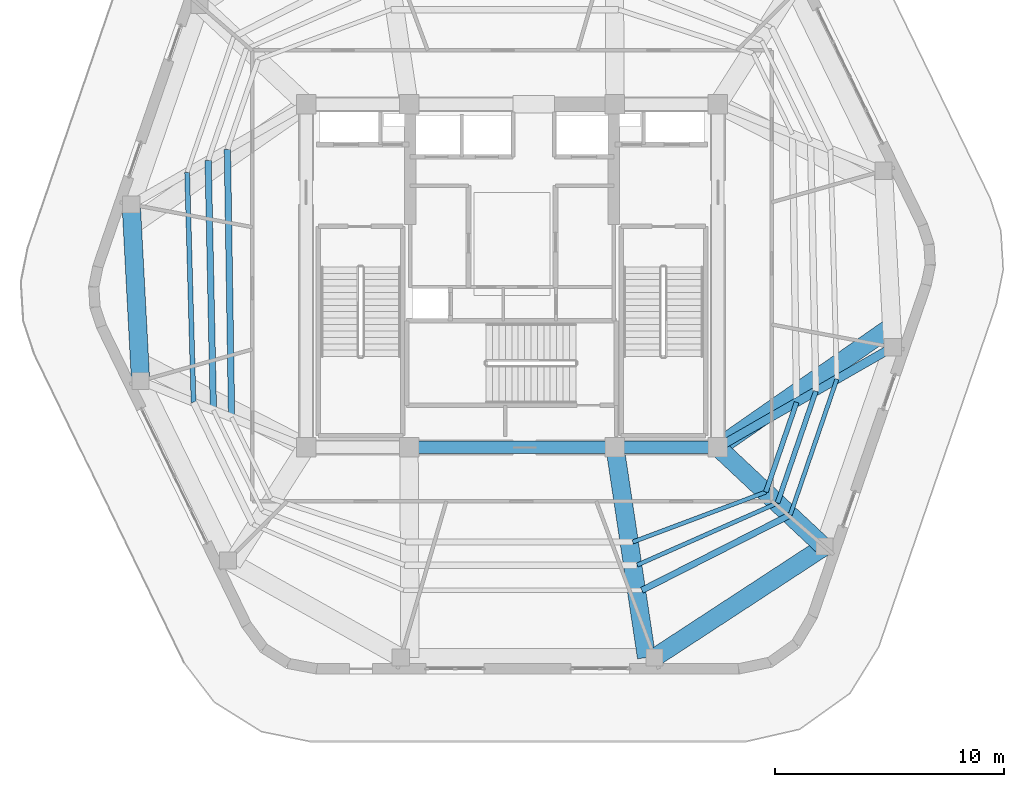
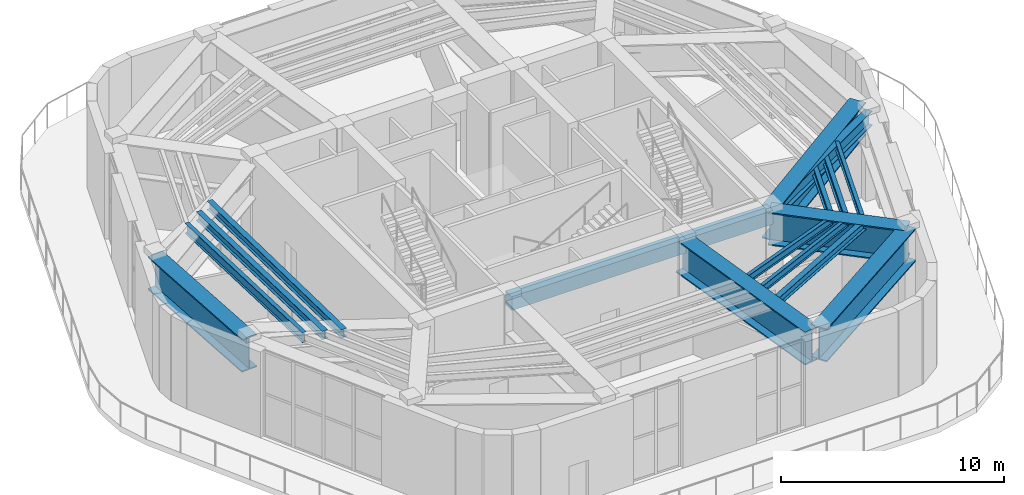
# One storey, part 6 of 24: 17 beams.
"""IFC4 building model written with IfcOpenShell, lengths in metres."""

import ifcopenshell
import ifcopenshell.guid

model = None  # the IFC model being written
_history = None  # IfcOwnerHistory: only IFC2X3 demands one
_inside = {}  # id of a spatial element -> (the spatial element, [elements in it])
_under = {}  # id of a project, library or spatial element -> (it, [spatial elements below it])
_declared = {}  # id of a project -> (the project, [libraries it declares])
_typed = {}  # id of a type object -> (the type object, [elements of that type])
_made_of = {}  # id of a material, layer set ... -> (it, [elements and type objects made of it])


def new_model(schema):
    """Start an empty IFC model of exactly this schema.

    Asked for "IFC4X3", IfcOpenShell would pick the latest addendum, in which some entities
    have other attributes; the version numbers below select the first issue.
    IFC2X3 requires an IfcOwnerHistory on every rooted entity: one is made here for all.
    """
    global model, _history
    if schema == "IFC4X3":
        model = ifcopenshell.file(schema_version=(4, 3, 0, 0))
    else:
        model = ifcopenshell.file(schema=schema)
    _inside.clear()
    _under.clear()
    _declared.clear()
    _typed.clear()
    _made_of.clear()
    _history = None
    if model.schema == "IFC2X3":
        org = make("IfcOrganization", Name="unknown")
        user = make(
            "IfcPersonAndOrganization",
            ThePerson=make("IfcPerson", FamilyName="unknown"),
            TheOrganization=org,
        )
        app = make(
            "IfcApplication",
            ApplicationDeveloper=org,
            Version="unknown",
            ApplicationFullName="unknown",
            ApplicationIdentifier="unknown",
        )
        _history = make(
            "IfcOwnerHistory",
            OwningUser=user,
            OwningApplication=app,
            ChangeAction="ADDED",
            CreationDate=0,
        )
    return model


def make(cls, **values):
    """One entity of the class cls with the attributes given. An attribute that is None is left unset."""
    return model.create_entity(
        cls, **{name: value for name, value in values.items() if value is not None}
    )


def rooted(cls, **values):
    """An entity with a GlobalId (a new one), such as an element, a storey or a relation."""
    return make(cls, GlobalId=ifcopenshell.guid.new(), OwnerHistory=_history, **values)


def si_unit(unit_type, name, prefix=None):
    """IfcSIUnit, for example si_unit("LENGTHUNIT", "METRE", prefix="MILLI")."""
    return make("IfcSIUnit", UnitType=unit_type, Prefix=prefix, Name=name)


def assignment(units):
    """IfcUnitAssignment: the units of a project."""
    return None if units is None else make("IfcUnitAssignment", Units=units)


def point(xyz):
    """IfcCartesianPoint."""
    return None if xyz is None else make("IfcCartesianPoint", Coordinates=xyz)


def direction(xyz):
    """IfcDirection."""
    return None if xyz is None else make("IfcDirection", DirectionRatios=xyz)


def frame(location, z_axis=None, x_axis=None):
    """IfcAxis2Placement3D, a coordinate frame: its origin and axes. An axis left out is left unset."""
    return make(
        "IfcAxis2Placement3D",
        Location=point(location),
        Axis=direction(z_axis),
        RefDirection=direction(x_axis),
    )


def frame_2d(location, x_axis=None):
    """IfcAxis2Placement2D, a coordinate frame in the plane: its origin and x axis."""
    return make(
        "IfcAxis2Placement2D", Location=point(location), RefDirection=direction(x_axis)
    )


def origin():
    """The frame at (0, 0, 0) with its axes left unset."""
    return frame((0.0, 0.0, 0.0))


def origin_2d():
    """The frame at (0, 0) in the plane with its x axis left unset."""
    return frame_2d((0.0, 0.0))


def place(relative_to, where):
    """IfcLocalPlacement: puts the frame where relative to a parent placement (None: the world)."""
    return make(
        "IfcLocalPlacement", PlacementRelTo=relative_to, RelativePlacement=where
    )


def context(
    kind, dimensions, precision=None, world=None, true_north=None, identifier=None
):
    """IfcGeometricRepresentationContext, for example the 3D "Model" context."""
    return make(
        "IfcGeometricRepresentationContext",
        ContextIdentifier=identifier,
        ContextType=kind,
        CoordinateSpaceDimension=dimensions,
        Precision=precision,
        WorldCoordinateSystem=world,
        TrueNorth=true_north,
    )


def subcontext(parent, identifier, kind, view, scale=None):
    """IfcGeometricRepresentationSubContext, for example "Body" below "Model"."""
    return make(
        "IfcGeometricRepresentationSubContext",
        ContextIdentifier=identifier,
        ContextType=kind,
        ParentContext=parent,
        TargetScale=scale,
        TargetView=view,
    )


def project(units=None, contexts=None):
    """IfcProject with its units and contexts."""
    return rooted(
        "IfcProject",
        Name="project",
        RepresentationContexts=contexts,
        UnitsInContext=assignment(units),
    )


def spatial(cls, under=None, at=None, **own):
    """A site, building, storey or space (cls), placed at a placement, below another one or the project."""
    s = rooted(cls, ObjectPlacement=at, **own)
    if under is not None:
        _under.setdefault(under.id(), (under, []))[1].append(s)
    return s


def profile(cls, at=None, kind="AREA", **sizes):
    """A parametric profile (cls). Its sizes go by their IFC names, for example OverallWidth=200.0."""
    return make(cls, ProfileType=kind, Position=at, **sizes)


def rectangle(**sizes):
    """IfcRectangleProfileDef."""
    return profile("IfcRectangleProfileDef", **sizes)


def i_section(**sizes):
    """IfcIShapeProfileDef."""
    return profile("IfcIShapeProfileDef", **sizes)


def extrude(swept, where, along, depth):
    """IfcExtrudedAreaSolid: the profile swept, set in the frame where, extruded along a direction by depth."""
    return make(
        "IfcExtrudedAreaSolid",
        SweptArea=swept,
        Position=where,
        ExtrudedDirection=direction(along),
        Depth=depth,
    )


def shape(context_of_items, identifier, shape_type, items):
    """IfcShapeRepresentation: the items that make up one representation, for example the "Body"."""
    return make(
        "IfcShapeRepresentation",
        ContextOfItems=context_of_items,
        RepresentationIdentifier=identifier,
        RepresentationType=shape_type,
        Items=items,
    )


def material(Name=None, Category=None):
    """IfcMaterial."""
    return make("IfcMaterial", Name=Name, Category=Category)


def material_profile(
    of_material, cross_section, Name=None, Category=None, Priority=None
):
    """IfcMaterialProfile: a cross section and its material."""
    return make(
        "IfcMaterialProfile",
        Name=Name,
        Material=of_material,
        Profile=cross_section,
        Priority=Priority,
        Category=Category,
    )


def profile_set(profiles, Name=None, composite=None):
    """IfcMaterialProfileSet."""
    return make(
        "IfcMaterialProfileSet",
        Name=Name,
        MaterialProfiles=profiles,
        CompositeProfile=composite,
    )


def made_of(thing, what):
    """Note that an element or type object is made of a material, layer set ...; save() writes the relation."""
    if what is not None:
        _made_of.setdefault(what.id(), (what, []))[1].append(thing)
    return thing


def type_object(cls, material=None, **own):
    """A type object (cls), such as IfcWallType, which elements share."""
    return made_of(rooted(cls, **own), material)


def element(
    cls,
    number,
    at=None,
    inside=None,
    cuts=None,
    type_object=None,
    material=None,
    context=None,
    identifier="Body",
    shape_type=None,
    held_by="IfcProductDefinitionShape",
    body=None,
    shapes=None,
    **own,
):
    """One element of the class cls, such as IfcWall. Its Tag is "e" and its number.

    at: its placement. inside: the storey or other place that contains it. cuts: it is an
    opening in that element (IfcRelVoidsElement). A single representation is given by context,
    identifier, shape_type and body (its items); several are given by shapes. held_by: the class
    of the entity that holds the representations. save() writes the other relations.
    """
    e = rooted(cls, Tag="e%d" % number, ObjectPlacement=at, **own)
    if body is not None:
        shapes = [shape(context, identifier, shape_type, body)]
    if shapes is not None:
        e.Representation = make(held_by, Representations=shapes)
    if inside is not None:
        _inside.setdefault(inside.id(), (inside, []))[1].append(e)
    if cuts is not None:
        rooted(
            "IfcRelVoidsElement", RelatingBuildingElement=cuts, RelatedOpeningElement=e
        )
    if type_object is not None:
        _typed.setdefault(type_object.id(), (type_object, []))[1].append(e)
    return made_of(e, material)


def aggregate(whole, parts):
    """IfcRelAggregates: a whole, such as a stair, and the parts it consists of."""
    return rooted("IfcRelAggregates", RelatingObject=whole, RelatedObjects=parts)


def save(model, path):
    """Write the relations noted so far, then the file.

    IfcRelAggregates (storeys below a building ...), IfcRelContainedInSpatialStructure (elements
    in a storey), IfcRelDefinesByType, IfcRelAssociatesMaterial and IfcRelDeclares: one each for
    every whole, place, type object, material and project.
    """
    for whole, parts in _under.values():
        aggregate(whole, parts)
    for where, things in _inside.values():
        rooted(
            "IfcRelContainedInSpatialStructure",
            RelatedElements=things,
            RelatingStructure=where,
        )
    for kind, things in _typed.values():
        rooted("IfcRelDefinesByType", RelatedObjects=things, RelatingType=kind)
    for what, things in _made_of.values():
        rooted("IfcRelAssociatesMaterial", RelatedObjects=things, RelatingMaterial=what)
    for by, libraries in _declared.values():
        rooted("IfcRelDeclares", RelatingContext=by, RelatedDefinitions=libraries)
    model.write(path)


model = new_model("IFC4")

# Units and contexts
model_context = context("Model", 3, precision=1e-05, world=origin(), true_north=direction((0.0, 1.0)))
body_context = subcontext(model_context, "Body", "Model", "MODEL_VIEW")
ifc_project = project(units=[si_unit("LENGTHUNIT", "METRE"), si_unit("AREAUNIT", "SQUARE_METRE"), si_unit("VOLUMEUNIT", "CUBIC_METRE"), si_unit("PLANEANGLEUNIT", "RADIAN"), si_unit("MASSUNIT", "GRAM", prefix="KILO")], contexts=[model_context])

# Site, building, storey
site_placement = place(None, origin())
site = spatial("IfcSite", under=ifc_project, at=site_placement, CompositionType="ELEMENT")
building_placement = place(site_placement, origin())
building = spatial("IfcBuilding", under=site, at=building_placement, Name="Kilnhurst Terrace Hotel", CompositionType="ELEMENT")
storey_placement = place(building_placement, frame((0.0, 0.0, 305.39990234375)))
storey = spatial("IfcBuildingStorey", under=building, at=storey_placement, Name="L76", CompositionType="ELEMENT", Elevation=305.39990234375)

# Beams
ifc_material_1 = material(Name="Concrete C50/60", Category="concrete")
ifc_material_profile_1 = material_profile(ifc_material_1, rectangle(XDim=0.550048828125, YDim=0.75, at=origin_2d()), Name="RC550X750")
ifc_profile_set_1 = profile_set([ifc_material_profile_1], Name="Concrete C50/60")
beam_type_1 = type_object("IfcBeamType", Name="BM-SPN-550X750", PredefinedType="SPANDREL", material=ifc_profile_set_1)
beam_1_placement = place(storey_placement, frame((-4.5, -7.5, 4.30517578125), z_axis=(1.0, 0.0, 0.0), x_axis=(0.0, 1.0, 0.0)))
element("IfcBeam", 1, at=beam_1_placement, inside=storey, type_object=beam_type_1, Name="L76 Core Tie Beam CC-SC1 to CC-SC2", PredefinedType="SPANDREL", context=body_context, shape_type="SweptSolid", body=[
    extrude(rectangle(XDim=0.550048828125, YDim=0.75, at=origin_2d()), origin(), (0.0, 0.0, 1.0), 9.0),
])
beam_2_placement = place(storey_placement, frame((4.5, -7.5, 4.30517578125), z_axis=(1.0, 0.0, 0.0), x_axis=(0.0, 1.0, 0.0)))
element("IfcBeam", 2, at=beam_2_placement, inside=storey, type_object=beam_type_1, Name="L76 Core Tie Beam CC-SC2 to CC-SE", PredefinedType="SPANDREL", context=body_context, shape_type="SweptSolid", body=[
    extrude(rectangle(XDim=0.550048828125, YDim=0.75, at=origin_2d()), origin(), (0.0, 0.0, 1.0), 4.5),
])
ifc_material_2 = material(Name="Steel ASTM A992 Grade 50", Category="steel")
ifc_material_profile_2 = material_profile(ifc_material_2, i_section(OverallWidth=0.380615234375, OverallDepth=0.773193359375, WebThickness=0.0166015625, FlangeThickness=0.027099609375, at=origin_2d()), Name="W30X173")
ifc_profile_set_2 = profile_set([ifc_material_profile_2], Name="Steel ASTM A992 Grade 50")
beam_type_2 = type_object("IfcBeamType", Name="BM-STL-W30X173", PredefinedType="BEAM", material=ifc_profile_set_2)
beam_3_placement = place(storey_placement, frame((9.0, -7.5, 4.293212890625), z_axis=(0.867520700854, 0.497401079201, 0.0), x_axis=(-0.497401079201, 0.867520700854, 0.0)))
element("IfcBeam", 3, at=beam_3_placement, inside=storey, type_object=beam_type_2, Name="L76 Radial Floor Beam 4", PredefinedType="BEAM", context=body_context, shape_type="SweptSolid", body=[
    extrude(i_section(OverallWidth=0.380615234375, OverallDepth=0.773193359375, WebThickness=0.0166015625, FlangeThickness=0.027099609375, at=origin_2d()), origin(), (0.0, 0.0, 1.0), 8.80810546875),
])
ifc_material_profile_3 = material_profile(ifc_material_2, i_section(OverallWidth=0.180908203125, OverallDepth=0.417236328125, WebThickness=0.010986328125, FlangeThickness=0.018310546875, at=origin_2d()), Name="W16X57")
ifc_profile_set_3 = profile_set([ifc_material_profile_3], Name="Steel ASTM A992 Grade 50")
beam_type_3 = type_object("IfcBeamType", Name="JST-STL-W16X57", PredefinedType="JOIST", material=ifc_profile_set_3)
beam_4_placement = place(storey_placement, frame((12.163330078125, -10.445068359375, 4.47119140625), z_axis=(0.324518654094, 0.945879296287, 0.0), x_axis=(-0.945879296287, 0.324518654094, 0.0)))
element("IfcBeam", 4, at=beam_4_placement, inside=storey, type_object=beam_type_3, Name="L76 Secondary Floor Steel Joist OUT.3", PredefinedType="JOIST", context=body_context, shape_type="SweptSolid", body=[
    extrude(i_section(OverallWidth=0.180908203125, OverallDepth=0.417236328125, WebThickness=0.010986328125, FlangeThickness=0.018310546875, at=origin_2d()), origin(), (0.0, 0.0, 1.0), 6.262939453125),
])
beam_5_placement = place(storey_placement, frame((5.2802734375, -11.631103515625, 4.47119140625), z_axis=(0.936214403551, 0.351429353616, 0.0), x_axis=(-0.351429353616, 0.936214403551, 0.0)))
element("IfcBeam", 5, at=beam_5_placement, inside=storey, type_object=beam_type_3, Name="L76 Secondary Floor Steel Joist IN.2", PredefinedType="JOIST", context=body_context, shape_type="SweptSolid", body=[
    extrude(i_section(OverallWidth=0.180908203125, OverallDepth=0.417236328125, WebThickness=0.010986328125, FlangeThickness=0.018310546875, at=origin_2d()), origin(), (0.0, 0.0, 1.0), 6.209228515625),
])
beam_6_placement = place(storey_placement, frame((5.470947265625, -12.640869140625, 4.47119140625), z_axis=(0.914400393666, 0.404810968308, 0.0), x_axis=(-0.404810968308, 0.914400393666, 0.0)))
element("IfcBeam", 6, at=beam_6_placement, inside=storey, type_object=beam_type_3, Name="L76 Secondary Floor Steel Joist MID.2", PredefinedType="JOIST", context=body_context, shape_type="SweptSolid", body=[
    extrude(i_section(OverallWidth=0.180908203125, OverallDepth=0.417236328125, WebThickness=0.010986328125, FlangeThickness=0.018310546875, at=origin_2d()), origin(), (0.0, 0.0, 1.0), 6.708251953125),
])
ifc_material_profile_4 = material_profile(ifc_material_2, i_section(OverallWidth=0.279296875, OverallDepth=0.462890625, WebThickness=0.0107421875, FlangeThickness=0.017333984375, at=origin_2d()), Name="W18X76")
ifc_profile_set_4 = profile_set([ifc_material_profile_4], Name="Steel ASTM A992 Grade 50")
beam_type_4 = type_object("IfcBeamType", Name="JST-STL-W18X76", PredefinedType="JOIST", material=ifc_profile_set_4)
beam_7_placement = place(storey_placement, frame((5.67919921875, -13.742431640625, 4.447998046875), z_axis=(0.891365824321, 0.453284642617, 0.0), x_axis=(-0.453284642617, 0.891365824321, 0.0)))
element("IfcBeam", 7, at=beam_7_placement, inside=storey, type_object=beam_type_4, Name="L76 Secondary Floor Steel Joist OUT.2", PredefinedType="JOIST", context=body_context, shape_type="SweptSolid", body=[
    extrude(i_section(OverallWidth=0.279296875, OverallDepth=0.462890625, WebThickness=0.0107421875, FlangeThickness=0.017333984375, at=origin_2d()), origin(), (0.0, 0.0, 1.0), 7.2744140625),
])
beam_8_placement = place(storey_placement, frame((-12.4384765625, 5.528564453125, 4.447998046875), z_axis=(0.015702797992, -0.999876703467, 0.0), x_axis=(0.999876703467, 0.015702797992, 0.0)))
element("IfcBeam", 8, at=beam_8_placement, inside=storey, type_object=beam_type_4, Name="L76 Secondary Floor Steel Joist IN.10", PredefinedType="JOIST", context=body_context, shape_type="SweptSolid", body=[
    extrude(i_section(OverallWidth=0.279296875, OverallDepth=0.462890625, WebThickness=0.0107421875, FlangeThickness=0.017333984375, at=origin_2d()), origin(), (0.0, 0.0, 1.0), 11.722900390625),
])
beam_9_placement = place(storey_placement, frame((-13.279052734375, 5.046630859375, 4.447998046875), z_axis=(0.020988936367, -0.999779708011, 0.0), x_axis=(0.999779708011, 0.020988936367, 0.0)))
element("IfcBeam", 9, at=beam_9_placement, inside=storey, type_object=beam_type_4, Name="L76 Secondary Floor Steel Joist MID.10", PredefinedType="JOIST", context=body_context, shape_type="SweptSolid", body=[
    extrude(i_section(OverallWidth=0.279296875, OverallDepth=0.462890625, WebThickness=0.0107421875, FlangeThickness=0.017333984375, at=origin_2d()), origin(), (0.0, 0.0, 1.0), 10.92236328125),
])
ifc_material_profile_5 = material_profile(ifc_material_2, i_section(OverallWidth=0.2138671875, OverallDepth=0.549072265625, WebThickness=0.0146484375, FlangeThickness=0.023681640625, at=origin_2d()), Name="W21X93")
ifc_profile_set_5 = profile_set([ifc_material_profile_5], Name="Steel ASTM A992 Grade 50")
beam_type_5 = type_object("IfcBeamType", Name="JST-STL-W21X93", PredefinedType="JOIST", material=ifc_profile_set_5)
beam_10_placement = place(storey_placement, frame((-14.19580078125, 4.52099609375, 4.405029296875), z_axis=(0.027670641131, -0.999617094501, 0.0), x_axis=(0.999617094501, 0.027670641131, 0.0)))
element("IfcBeam", 10, at=beam_10_placement, inside=storey, type_object=beam_type_5, Name="L76 Secondary Floor Steel Joist OUT.10", PredefinedType="JOIST", context=body_context, shape_type="SweptSolid", body=[
    extrude(i_section(OverallWidth=0.2138671875, OverallDepth=0.549072265625, WebThickness=0.0146484375, FlangeThickness=0.023681640625, at=origin_2d()), origin(), (0.0, 0.0, 1.0), 10.049560546875),
])
beam_11_placement = place(storey_placement, frame((11.093505859375, -9.448974609375, 4.405029296875), z_axis=(0.32450352684, 0.945884486113, 0.0), x_axis=(-0.945884486113, 0.32450352684, 0.0)))
element("IfcBeam", 11, at=beam_11_placement, inside=storey, type_object=beam_type_5, Name="L76 Secondary Floor Steel Joist IN.3", PredefinedType="JOIST", context=body_context, shape_type="SweptSolid", body=[
    extrude(i_section(OverallWidth=0.2138671875, OverallDepth=0.549072265625, WebThickness=0.0146484375, FlangeThickness=0.023681640625, at=origin_2d()), origin(), (0.0, 0.0, 1.0), 4.144775390625),
])
beam_12_placement = place(storey_placement, frame((11.60498046875, -9.92529296875, 4.405029296875), z_axis=(0.324565129839, 0.945863349799, 0.0), x_axis=(-0.945863349799, 0.324565129839, 0.0)))
element("IfcBeam", 12, at=beam_12_placement, inside=storey, type_object=beam_type_5, Name="L76 Secondary Floor Steel Joist MID.3", PredefinedType="JOIST", context=body_context, shape_type="SweptSolid", body=[
    extrude(i_section(OverallWidth=0.2138671875, OverallDepth=0.549072265625, WebThickness=0.0146484375, FlangeThickness=0.023681640625, at=origin_2d()), origin(), (0.0, 0.0, 1.0), 5.157958984375),
])
ifc_material_3 = material(Name="Steel ASTM A572 Grade 50", Category="steel")
ifc_material_profile_6 = material_profile(ifc_material_3, i_section(OverallWidth=0.800048828125, OverallDepth=1.800048828125, WebThickness=0.0400390625, FlangeThickness=0.06494140625, at=origin_2d()), Name="PG1800X800")
ifc_profile_set_6 = profile_set([ifc_material_profile_6], Name="Steel ASTM A572 Grade 50")
beam_type_6 = type_object("IfcBeamType", Name="TG-STEP-1800", PredefinedType="USERDEFINED", material=ifc_profile_set_6)
beam_13_placement = place(storey_placement, frame((6.23388671875, -16.679931640625, 3.780029296875), z_axis=(0.837046768673, 0.547131343512, 0.0), x_axis=(-0.547131343512, 0.837046768673, 0.0)))
element("IfcBeam", 13, at=beam_13_placement, inside=storey, type_object=beam_type_6, Name="L76 Zone Step Perimeter Transfer Girder 2", ObjectType="GIRDER", PredefinedType="USERDEFINED", context=body_context, shape_type="SweptSolid", body=[
    extrude(i_section(OverallWidth=0.800048828125, OverallDepth=1.800048828125, WebThickness=0.0400390625, FlangeThickness=0.06494140625, at=origin_2d()), origin(), (0.0, 0.0, 1.0), 8.8623046875),
])
beam_14_placement = place(storey_placement, frame((-16.64111328125, 3.118896484375, 3.780029296875), z_axis=(0.052970219362, -0.998596092452, 0.0), x_axis=(0.998596092452, 0.052970219362, 0.0)))
element("IfcBeam", 14, at=beam_14_placement, inside=storey, type_object=beam_type_6, Name="L76 Zone Step Perimeter Transfer Girder 10", ObjectType="GIRDER", PredefinedType="USERDEFINED", context=body_context, shape_type="SweptSolid", body=[
    extrude(i_section(OverallWidth=0.800048828125, OverallDepth=1.800048828125, WebThickness=0.0400390625, FlangeThickness=0.06494140625, at=origin_2d()), origin(), (0.0, 0.0, 1.0), 7.724609375),
])
beam_15_placement = place(storey_placement, frame((4.5, -7.5, 3.780029296875), z_axis=(0.148696674469, -0.988882854034, 0.0), x_axis=(0.988882854034, 0.148696674469, 0.0)))
element("IfcBeam", 15, at=beam_15_placement, inside=storey, type_object=beam_type_6, Name="L76 Zone Step Radial Transfer Girder 2", ObjectType="GIRDER", PredefinedType="USERDEFINED", context=body_context, shape_type="SweptSolid", body=[
    extrude(i_section(OverallWidth=0.800048828125, OverallDepth=1.800048828125, WebThickness=0.0400390625, FlangeThickness=0.06494140625, at=origin_2d()), origin(), (0.0, 0.0, 1.0), 9.283203125),
])
beam_16_placement = place(storey_placement, frame((9.0, -7.5, 3.780029296875), z_axis=(0.729480853969, -0.684001230768, 0.0), x_axis=(0.684001230768, 0.729480853969, 0.0)))
element("IfcBeam", 16, at=beam_16_placement, inside=storey, type_object=beam_type_6, Name="L76 Zone Step Radial Transfer Girder 3", ObjectType="GIRDER", PredefinedType="USERDEFINED", context=body_context, shape_type="SweptSolid", body=[
    extrude(i_section(OverallWidth=0.800048828125, OverallDepth=1.800048828125, WebThickness=0.0400390625, FlangeThickness=0.06494140625, at=origin_2d()), origin(), (0.0, 0.0, 1.0), 6.3505859375),
])
beam_17_placement = place(storey_placement, frame((9.0, -7.5, 3.780029296875), z_axis=(0.820626523243, 0.571464880242, 0.0), x_axis=(-0.571464880242, 0.820626523243, 0.0)))
element("IfcBeam", 17, at=beam_17_placement, inside=storey, type_object=beam_type_6, Name="L76 Zone Step Radial Transfer Girder 4", ObjectType="GIRDER", PredefinedType="USERDEFINED", context=body_context, shape_type="SweptSolid", body=[
    extrude(i_section(OverallWidth=0.800048828125, OverallDepth=1.800048828125, WebThickness=0.0400390625, FlangeThickness=0.06494140625, at=origin_2d()), origin(), (0.0, 0.0, 1.0), 9.252685546875),
])

save(model, "model.ifc")
